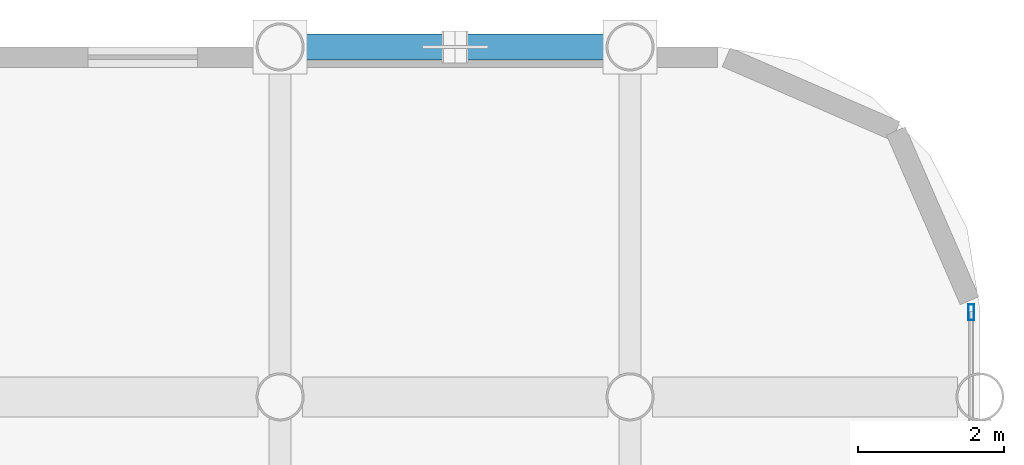
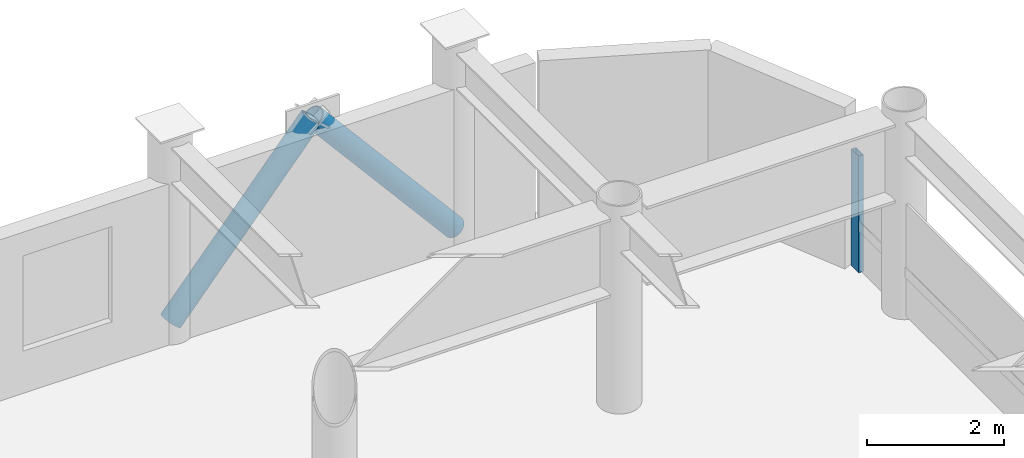
# One storey, part 18 of 24: 3 members, 1 element without a shape of its own.
"""IFC4 building model written with IfcOpenShell, lengths in metres."""

from ifc_helpers import new_model, si_unit, direction, frame, origin, origin_2d, place, context, subcontext, project, spatial, hollow_rectangle, hollow_circle, extrude, material, layer, layer_set, material_profile, profile_set, type_object, element, aggregate, save


model = new_model("IFC4")

# Units and contexts
model_context = context("Model", 3, precision=1e-05, world=origin(), true_north=direction((0.0, 1.0)))
body_context = subcontext(model_context, "Body", "Model", "MODEL_VIEW")
ifc_project = project(units=[si_unit("LENGTHUNIT", "METRE"), si_unit("AREAUNIT", "SQUARE_METRE"), si_unit("VOLUMEUNIT", "CUBIC_METRE"), si_unit("PLANEANGLEUNIT", "RADIAN"), si_unit("MASSUNIT", "GRAM", prefix="KILO")], contexts=[model_context])

# Site, building, storey
site_placement = place(None, origin())
site = spatial("IfcSite", under=ifc_project, at=site_placement, CompositionType="ELEMENT")
building_placement = place(site_placement, origin())
building = spatial("IfcBuilding", under=site, at=building_placement, Name="Kallvorn Hotel Tower", CompositionType="ELEMENT")
storey_placement = place(building_placement, frame((0.0, 0.0, 150.699951171875)))
storey = spatial("IfcBuildingStorey", under=building, at=storey_placement, Name="L37", CompositionType="ELEMENT", Elevation=150.699951171875)

# Curtain wall, member
ifc_material_1 = material(Name="Thermally broken black-anodised aluminium AA 6063-T6", Category="aluminium")
ifc_layer = layer(ifc_material_1, 0.2099609375)
ifc_layer_set = layer_set([ifc_layer], Name="CW_SYS_4_HOTEL_MID")
curtain_wall_type = type_object("IfcCurtainWallType", Name="CW_SYS_4_HOTEL_MID", PredefinedType="USERDEFINED", material=ifc_layer_set)
curtain_wall_placement = place(storey_placement, origin())
curtain_wall = element("IfcCurtainWall", 1, at=curtain_wall_placement, inside=storey, type_object=curtain_wall_type, Name="L37 Dark-Glass Curtain Wall CW-L37-EN", ObjectType="UNITISED CURTAIN WALL", PredefinedType="USERDEFINED")
ifc_material_2 = material(Name="Thermally broken black-anodised aluminium AA 6063-T6", Category="aluminium")
ifc_material_profile_1 = material_profile(ifc_material_2, hollow_rectangle(XDim=0.080078125, YDim=0.219970703125, WallThickness=0.0048828125, at=origin_2d()), Name="MUL 220x80")
ifc_profile_set_1 = profile_set([ifc_material_profile_1], Name="Thermally broken black-anodised aluminium AA 6063-T6")
member_type_1 = type_object("IfcMemberType", Name="CW_MULLION_220x80", PredefinedType="MULLION", material=ifc_profile_set_1)
member_placement = place(storey_placement, frame((28.679931640625, 20.360107421875, 0.02001953125), z_axis=(0.0, 0.0, 1.0), x_axis=(1.0, 0.0, 0.0)))
member = element("IfcMember", 2, at=member_placement, type_object=member_type_1, Name="CW-L37-EN Mullion 01", PredefinedType="MULLION", context=body_context, shape_type="SweptSolid", body=[
    extrude(hollow_rectangle(XDim=0.080078125, YDim=0.219970703125, WallThickness=0.0048828125, at=origin_2d()), origin(), (0.0, 0.0, 1.0), 2.080078125),
])
aggregate(curtain_wall, [member])

# Members
ifc_material_3 = material(Name="Structural steel S355J2H", Category="steel")
ifc_material_profile_2 = material_profile(ifc_material_3, hollow_circle(Radius=0.177734375, WallThickness=0.01416015625, at=origin_2d()), Name="CHS 355.6x14.2")
ifc_profile_set_2 = profile_set([ifc_material_profile_2], Name="Structural steel S355J2H")
member_type_2 = type_object("IfcMemberType", Name="MBR_EXO_CHS355", PredefinedType="BRACE", material=ifc_profile_set_2)
for number, where, z_axis, x_axis, name in (
    (3, (19.212890625, 24.0, 0.1953125), (0.646833296797, 0.0, 0.762631422218), (0.0, 1.0, 0.0), "L37 Exoskeleton K-Brace N2A"),
    (4, (23.987060546875, 24.0, 0.1953125), (-0.646833296797, 0.0, 0.762631422218), (0.0, -1.0, 0.0), "L37 Exoskeleton K-Brace N2B"),
):
    element("IfcMember", number, at=place(storey_placement, frame(where, z_axis=z_axis, x_axis=x_axis)), inside=storey, type_object=member_type_2, Name=name, PredefinedType="BRACE", context=body_context, shape_type="SweptSolid", body=[
        extrude(hollow_circle(Radius=0.177734375, WallThickness=0.01416015625, at=origin_2d()), origin(), (0.0, 0.0, 1.0), 3.670654296875),
    ])

save(model, "model.ifc")
